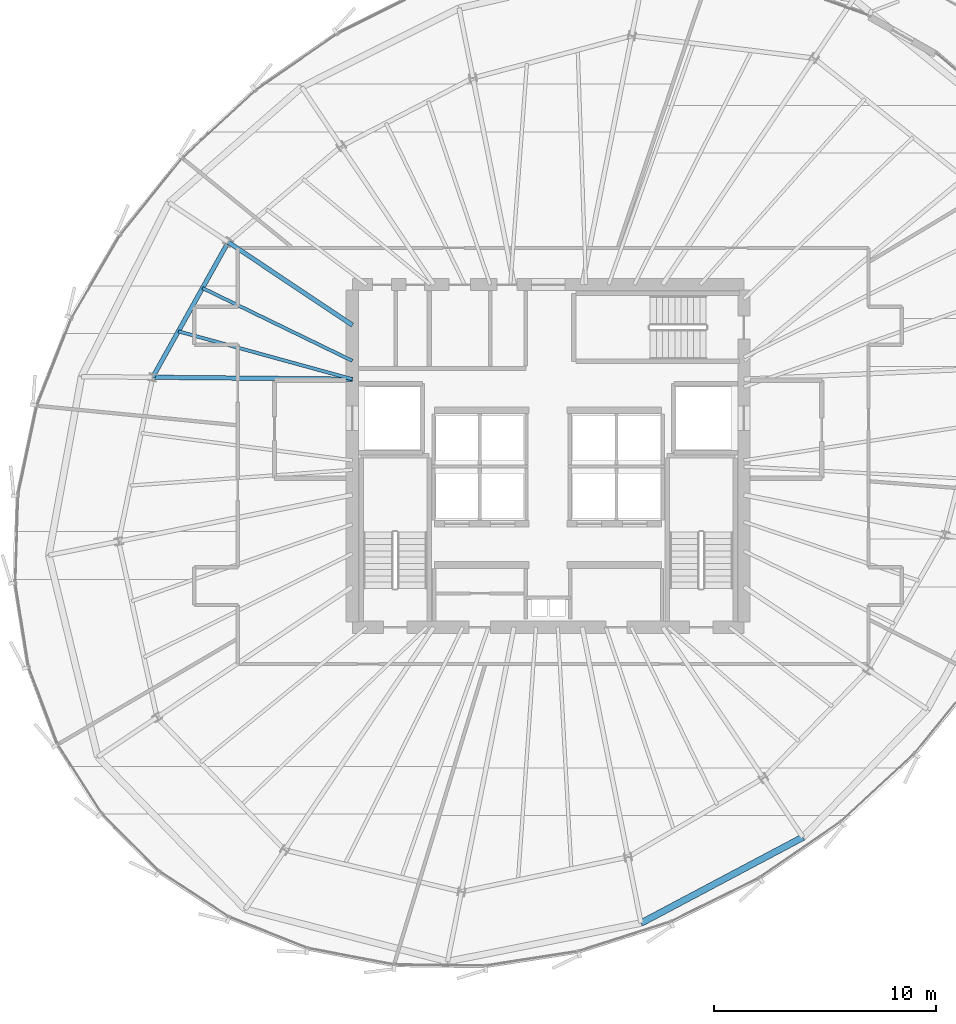
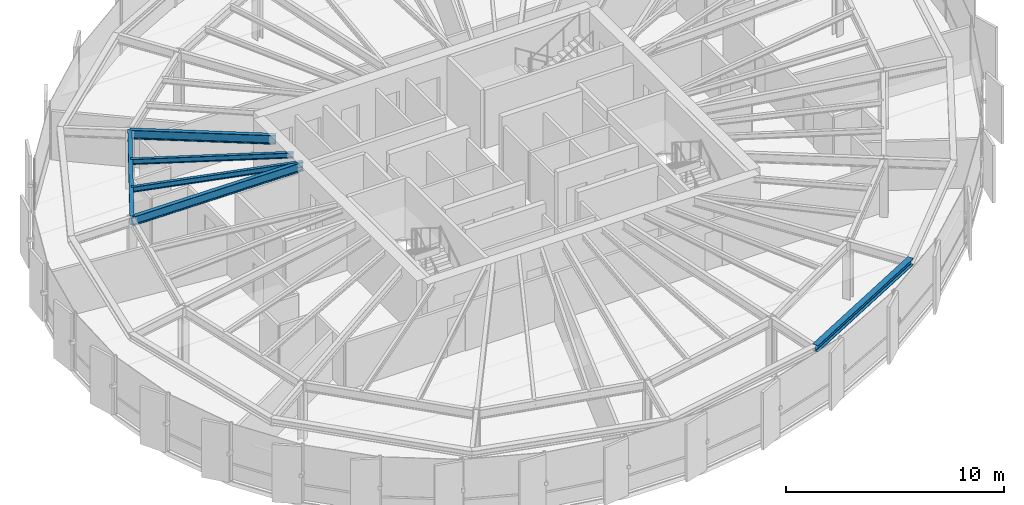
# One storey, part 12 of 34: 6 beams.
"""IFC4 building model written with IfcOpenShell, lengths in metres."""

from ifc_helpers import new_model, si_unit, direction, frame, origin, origin_2d, place, context, subcontext, project, spatial, i_section, extrude, source, transform, mapped, material, material_profile, profile_set, type_object, element, save


model = new_model("IFC4")

# Units and contexts
model_context = context("Model", 3, precision=1e-05, world=origin(), true_north=direction((0.0, 1.0)))
body_context = subcontext(model_context, "Body", "Model", "MODEL_VIEW")
ifc_project = project(units=[si_unit("LENGTHUNIT", "METRE"), si_unit("AREAUNIT", "SQUARE_METRE"), si_unit("VOLUMEUNIT", "CUBIC_METRE"), si_unit("PLANEANGLEUNIT", "RADIAN"), si_unit("MASSUNIT", "GRAM", prefix="KILO"), si_unit("THERMODYNAMICTEMPERATUREUNIT", "KELVIN")], contexts=[model_context])

# Site, building, storey
site_placement = place(None, origin())
site = spatial("IfcSite", under=ifc_project, at=site_placement, CompositionType="ELEMENT")
building_placement = place(site_placement, origin())
building = spatial("IfcBuilding", under=site, at=building_placement, Name="Kethvar Cultural Tower", CompositionType="ELEMENT")
storey_placement = place(building_placement, frame((0.0, 0.0, 190.39990234375)))
storey = spatial("IfcBuildingStorey", under=building, at=storey_placement, Name="L49", CompositionType="ELEMENT", Elevation=190.39990234375)

# Beams
ifc_material = material(Name="Steel S355J2", Category="steel")
ifc_material_profile_1 = material_profile(ifc_material, i_section(OverallWidth=0.199951171875, OverallDepth=0.5, WebThickness=0.01025390625, FlangeThickness=0.01611328125, FilletRadius=0.02099609375, at=origin_2d()), Name="Steel S355J2 — IPE500")
ifc_profile_set_1 = profile_set([ifc_material_profile_1], Name="Steel S355J2 — IPE500")
beam_type_1 = type_object("IfcBeamType", Name="BM-IPE500", PredefinedType="BEAM", material=ifc_profile_set_1)
shared_shape_1 = source(origin(), body_context, "Body", "SweptSolid", [
    extrude(i_section(OverallWidth=0.199951171875, OverallDepth=0.5, WebThickness=0.01025390625, FlangeThickness=0.01611328125, FilletRadius=0.02099609375, at=origin_2d()), origin(), (0.0, 0.0, 1.0), 6.713134765625),
])
beam_1_placement = place(storey_placement, frame((38.0, 33.679931640625, 3.008056640625), z_axis=(-0.831479157792, 0.55555594692, 0.0), x_axis=(-0.55555594692, -0.831479157792, 0.0)))
element("IfcBeam", 1, at=beam_1_placement, inside=storey, type_object=beam_type_1, Name="L49 Primary Radial Beam RB-07", PredefinedType="BEAM", context=body_context, shape_type="MappedRepresentation", body=[
    mapped(shared_shape_1, transform((0.0, 0.0, 0.0), scale=1.0)),
])
shared_shape_2 = source(origin(), body_context, "Body", "SweptSolid", [
    extrude(i_section(OverallWidth=0.199951171875, OverallDepth=0.5, WebThickness=0.01025390625, FlangeThickness=0.01611328125, FilletRadius=0.02099609375, at=origin_2d()), origin(), (0.0, 0.0, 1.0), 8.9755859375),
])
beam_2_placement = place(storey_placement, frame((38.0, 31.25, 3.008056640625), z_axis=(-0.999954421893, 0.00954746755, 0.0), x_axis=(-0.00954746755, -0.999954421893, 0.0)))
element("IfcBeam", 2, at=beam_2_placement, inside=storey, type_object=beam_type_1, Name="L49 Primary Radial Beam RB-08", PredefinedType="BEAM", context=body_context, shape_type="MappedRepresentation", body=[
    mapped(shared_shape_2, transform((0.0, 0.0, 0.0), scale=1.0)),
])
shared_shape_3 = source(origin(), body_context, "Body", "SweptSolid", [
    extrude(i_section(OverallWidth=0.199951171875, OverallDepth=0.5, WebThickness=0.01025390625, FlangeThickness=0.01611328125, FilletRadius=0.02099609375, at=origin_2d()), origin(), (0.0, 0.0, 1.0), 6.957275390625),
])
beam_3_placement = place(storey_placement, frame((32.418212890625, 37.409423828125, 3.008056640625), z_axis=(-0.487730122968, -0.872994459976, 0.0), x_axis=(0.872994459976, -0.487730122968, 0.0)))
element("IfcBeam", 3, at=beam_3_placement, inside=storey, type_object=beam_type_1, Name="L49 Column Ring Tie Beam CR-07", PredefinedType="BEAM", context=body_context, shape_type="MappedRepresentation", body=[
    mapped(shared_shape_3, transform((0.0, 0.0, 0.0), scale=1.0)),
])
ifc_material_profile_2 = material_profile(ifc_material, i_section(OverallWidth=0.14990234375, OverallDepth=0.300048828125, WebThickness=0.007080078125, FlangeThickness=0.0107421875, FilletRadius=0.014892578125, at=origin_2d()), Name="Steel S355J2 — IPE300")
ifc_profile_set_2 = profile_set([ifc_material_profile_2], Name="Steel S355J2 — IPE300")
beam_type_2 = type_object("IfcBeamType", Name="BM-J300", PredefinedType="JOIST", material=ifc_profile_set_2)
shared_shape_4 = source(origin(), body_context, "Body", "SweptSolid", [
    extrude(i_section(OverallWidth=0.14990234375, OverallDepth=0.300048828125, WebThickness=0.007080078125, FlangeThickness=0.0107421875, FilletRadius=0.014892578125, at=origin_2d()), origin(), (0.0, 0.0, 1.0), 7.48779296875),
])
beam_4_placement = place(storey_placement, frame((38.0, 32.073486328125, 3.108154296875), z_axis=(-0.8995385432, 0.436841400623, 0.0), x_axis=(-0.436841400623, -0.8995385432, 0.0)))
element("IfcBeam", 4, at=beam_4_placement, inside=storey, type_object=beam_type_2, Name="L49 Composite Floor Joist J-07A", PredefinedType="JOIST", context=body_context, shape_type="MappedRepresentation", body=[
    mapped(shared_shape_4, transform((0.0, 0.0, 0.0), scale=1.0)),
])
shared_shape_5 = source(origin(), body_context, "Body", "SweptSolid", [
    extrude(i_section(OverallWidth=0.14990234375, OverallDepth=0.300048828125, WebThickness=0.007080078125, FlangeThickness=0.0107421875, FilletRadius=0.014892578125, at=origin_2d()), origin(), (0.0, 0.0, 1.0), 8.111572265625),
])
beam_5_placement = place(storey_placement, frame((38.0, 31.25, 3.108154296875), z_axis=(-0.96420462331, 0.265159281164, 0.0), x_axis=(-0.265159281164, -0.96420462331, 0.0)))
element("IfcBeam", 5, at=beam_5_placement, inside=storey, type_object=beam_type_2, Name="L49 Composite Floor Joist J-07B", PredefinedType="JOIST", context=body_context, shape_type="MappedRepresentation", body=[
    mapped(shared_shape_5, transform((0.0, 0.0, 0.0), scale=1.0)),
])
ifc_material_profile_3 = material_profile(ifc_material, i_section(OverallWidth=0.300048828125, OverallDepth=0.360107421875, WebThickness=0.012451171875, FlangeThickness=0.0224609375, FilletRadius=0.027099609375, at=origin_2d()), Name="Steel S355J2 — HEB360")
ifc_profile_set_3 = profile_set([ifc_material_profile_3], Name="Steel S355J2 — HEB360")
beam_type_3 = type_object("IfcBeamType", Name="BM-SP360", PredefinedType="SPANDREL", material=ifc_profile_set_3)
shared_shape_6 = source(origin(), body_context, "Body", "SweptSolid", [
    extrude(i_section(OverallWidth=0.300048828125, OverallDepth=0.360107421875, WebThickness=0.012451171875, FlangeThickness=0.0224609375, FilletRadius=0.027099609375, at=origin_2d()), origin(), (0.0, 0.0, 1.0), 8.235107421875),
])
beam_6_placement = place(storey_placement, frame((50.9765625, 6.802978515625, 3.078125), z_axis=(0.883524563785, 0.468384825959, 0.0), x_axis=(-0.468384825959, 0.883524563785, 0.0)))
element("IfcBeam", 6, at=beam_6_placement, inside=storey, type_object=beam_type_3, Name="L49 Perimeter Spandrel Beam SP-13", PredefinedType="SPANDREL", context=body_context, shape_type="MappedRepresentation", body=[
    mapped(shared_shape_6, transform((0.0, 0.0, 0.0), scale=1.0)),
])

save(model, "model.ifc")
